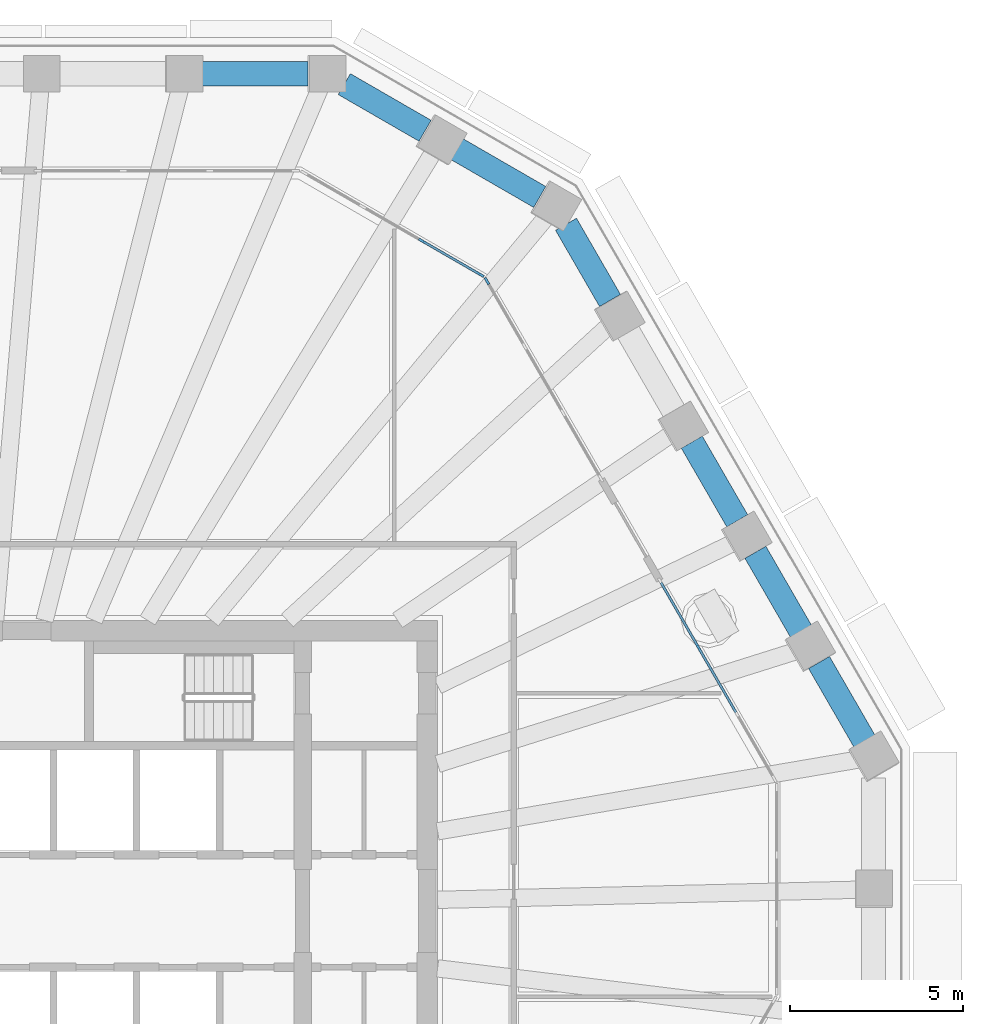
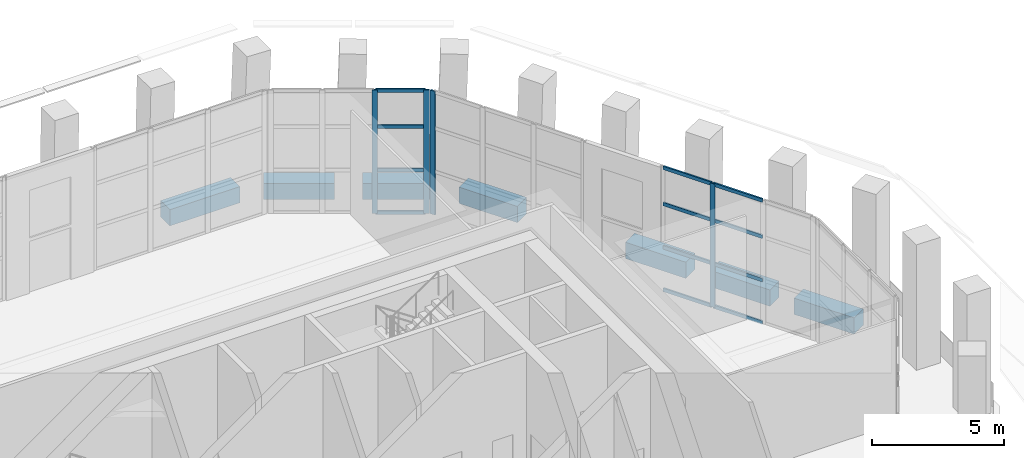
# One storey, part 8 of 19: 16 members, 7 beams, 3 elements without a shape of their own.
"""IFC4 building model written with IfcOpenShell, lengths in metres."""

from ifc_helpers import new_model, si_unit, direction, frame, origin, origin_2d, place, context, subcontext, project, spatial, rectangle, extrude, material, material_profile, profile_set, type_object, element, aggregate, save


model = new_model("IFC4")

# Units and contexts
model_context = context("Model", 3, precision=1e-05, world=origin(), true_north=direction((0.0, 1.0)))
body_context = subcontext(model_context, "Body", "Model", "MODEL_VIEW")
ifc_project = project(units=[si_unit("LENGTHUNIT", "METRE"), si_unit("AREAUNIT", "SQUARE_METRE"), si_unit("VOLUMEUNIT", "CUBIC_METRE"), si_unit("PLANEANGLEUNIT", "RADIAN"), si_unit("MASSUNIT", "GRAM", prefix="KILO")], contexts=[model_context])

# Site, building, storey
site_placement = place(None, origin())
site = spatial("IfcSite", under=ifc_project, at=site_placement, CompositionType="ELEMENT")
building_placement = place(site_placement, origin())
building = spatial("IfcBuilding", under=site, at=building_placement, Name="Frailejon Research Tower", CompositionType="ELEMENT")
storey_placement = place(building_placement, frame((0.0, 0.0, 231.39990234375)))
storey = spatial("IfcBuildingStorey", under=building, at=storey_placement, Name="L50", CompositionType="ELEMENT", Elevation=231.39990234375)

# Curtain wall, member
ifc_material_1 = material(Name="Aluminium curtain wall", Category="aluminium")
curtain_wall_type = type_object("IfcCurtainWallType", Name="Sky lobby curtain wall system", PredefinedType="NOTDEFINED", material=ifc_material_1)
curtain_wall_1_placement = place(storey_placement, origin())
curtain_wall_1 = element("IfcCurtainWall", 1, at=curtain_wall_1_placement, inside=storey, type_object=curtain_wall_type, Name="Curtain wall L50", PredefinedType="NOTDEFINED")
ifc_material_2 = material(Name="Aluminium extrusion", Category="aluminium")
ifc_material_profile_1 = material_profile(ifc_material_2, rectangle(XDim=0.070068359375, YDim=0.219970703125, at=origin_2d()), Name="Sky lobby curtain wall mullion 70x220")
ifc_profile_set_1 = profile_set([ifc_material_profile_1], Name="Aluminium extrusion")
member_type_1 = type_object("IfcMemberType", Name="Sky lobby curtain wall mullion 70x220", PredefinedType="MULLION", material=ifc_profile_set_1)
member_1_placement = place(storey_placement, frame((21.030029296875, 7.632080078125, 0.0), z_axis=(0.0, 0.0, 1.0), x_axis=(-0.866025366731, -0.500000064178, 0.0)))
member_1 = element("IfcMember", 2, at=member_1_placement, type_object=member_type_1, Name="CW4-100 mullion 3", PredefinedType="MULLION", context=body_context, shape_type="SweptSolid", body=[
    extrude(rectangle(XDim=0.070068359375, YDim=0.219970703125, at=origin_2d()), origin(), (0.0, 0.0, 1.0), 5.7001953125),
])

curtain_wall_2_placement = place(storey_placement, origin())
curtain_wall_2 = element("IfcCurtainWall", 3, at=curtain_wall_2_placement, inside=storey, type_object=curtain_wall_type, Name="Curtain wall L50", PredefinedType="NOTDEFINED")
member_2_placement = place(storey_placement, frame((14.9248046875, 18.20654296875, 0.0), z_axis=(0.0, 0.0, 1.0), x_axis=(-0.866025366731, -0.500000064178, 0.0)))
member_2 = element("IfcMember", 4, at=member_2_placement, type_object=member_type_1, Name="CW4-101 mullion 4", PredefinedType="MULLION", context=body_context, shape_type="SweptSolid", body=[
    extrude(rectangle(XDim=0.070068359375, YDim=0.219970703125, at=origin_2d()), origin(), (0.0, 0.0, 1.0), 5.7001953125),
])
aggregate(curtain_wall_2, [member_2])

# Curtain wall, members
curtain_wall_3_placement = place(storey_placement, origin())
curtain_wall_3 = element("IfcCurtainWall", 5, at=curtain_wall_3_placement, inside=storey, type_object=curtain_wall_type, Name="Curtain wall L50", PredefinedType="NOTDEFINED")
member_3_placement = place(storey_placement, frame((14.740234375, 18.39111328125, 0.0), z_axis=(0.0, 0.0, 1.0), x_axis=(-0.500010854885, -0.866019136623, 0.0)))
member_3 = element("IfcMember", 6, at=member_3_placement, type_object=member_type_1, Name="CW4-102 mullion 1", PredefinedType="MULLION", context=body_context, shape_type="SweptSolid", body=[
    extrude(rectangle(XDim=0.070068359375, YDim=0.219970703125, at=origin_2d()), origin(), (0.0, 0.0, 1.0), 5.7001953125),
])
member_4_placement = place(storey_placement, frame((13.05224609375, 19.36572265625, 0.0), z_axis=(0.0, 0.0, 1.0), x_axis=(-0.500010854885, -0.866019136623, 0.0)))
member_4 = element("IfcMember", 7, at=member_4_placement, type_object=member_type_1, Name="CW4-102 mullion 2", PredefinedType="MULLION", context=body_context, shape_type="SweptSolid", body=[
    extrude(rectangle(XDim=0.070068359375, YDim=0.219970703125, at=origin_2d()), origin(), (0.0, 0.0, 1.0), 5.7001953125),
])

# Member
ifc_material_3 = material(Name="Aluminium extrusion", Category="aluminium")
ifc_material_profile_2 = material_profile(ifc_material_3, rectangle(XDim=0.070068359375, YDim=0.159912109375, at=origin_2d()), Name="Sky lobby curtain wall transom 70x160")
ifc_profile_set_2 = profile_set([ifc_material_profile_2], Name="Aluminium extrusion")
member_type_2 = type_object("IfcMemberType", Name="Sky lobby curtain wall transom 70x160", PredefinedType="USERDEFINED", material=ifc_profile_set_2)
member_5_placement = place(storey_placement, frame((22.12109375, 5.7421875, 0.03515625), z_axis=(-0.500027542156, 0.866009501729, 0.0), x_axis=(-0.866009501729, -0.500027542156, 0.0)))
member_5 = element("IfcMember", 8, at=member_5_placement, type_object=member_type_2, Name="CW4-100 transom 2.1", ObjectType="TRANSOM", PredefinedType="USERDEFINED", context=body_context, shape_type="SweptSolid", body=[
    extrude(rectangle(XDim=0.070068359375, YDim=0.159912109375, at=origin_2d()), origin(), (0.0, 0.0, 1.0), 2.1474609375),
])

member_6_placement = place(storey_placement, frame((22.12109375, 5.7421875, 2.0), z_axis=(-0.500027542156, 0.866009501729, 0.0), x_axis=(-0.866009501729, -0.500027542156, 0.0)))
member_6 = element("IfcMember", 9, at=member_6_placement, type_object=member_type_2, Name="CW4-100 transom 2.2", ObjectType="TRANSOM", PredefinedType="USERDEFINED", context=body_context, shape_type="SweptSolid", body=[
    extrude(rectangle(XDim=0.070068359375, YDim=0.159912109375, at=origin_2d()), origin(), (0.0, 0.0, 1.0), 2.1474609375),
])

member_7_placement = place(storey_placement, frame((22.12109375, 5.7421875, 4.0), z_axis=(-0.500027542156, 0.866009501729, 0.0), x_axis=(-0.866009501729, -0.500027542156, 0.0)))
member_7 = element("IfcMember", 10, at=member_7_placement, type_object=member_type_2, Name="CW4-100 transom 2.3", ObjectType="TRANSOM", PredefinedType="USERDEFINED", context=body_context, shape_type="SweptSolid", body=[
    extrude(rectangle(XDim=0.070068359375, YDim=0.159912109375, at=origin_2d()), origin(), (0.0, 0.0, 1.0), 2.1474609375),
])

member_8_placement = place(storey_placement, frame((22.12109375, 5.7421875, 5.6650390625), z_axis=(-0.500027542156, 0.866009501729, 0.0), x_axis=(-0.866009501729, -0.500027542156, 0.0)))
member_8 = element("IfcMember", 11, at=member_8_placement, type_object=member_type_2, Name="CW4-100 transom 2.4", ObjectType="TRANSOM", PredefinedType="USERDEFINED", context=body_context, shape_type="SweptSolid", body=[
    extrude(rectangle(XDim=0.070068359375, YDim=0.159912109375, at=origin_2d()), origin(), (0.0, 0.0, 1.0), 2.1474609375),
])

member_9_placement = place(storey_placement, frame((21.012451171875, 7.662353515625, 0.03515625), z_axis=(-0.499992582699, 0.866029686123, 0.0), x_axis=(-0.866029686123, -0.499992582699, 0.0)))
member_9 = element("IfcMember", 12, at=member_9_placement, type_object=member_type_2, Name="CW4-100 transom 3.1", ObjectType="TRANSOM", PredefinedType="USERDEFINED", context=body_context, shape_type="SweptSolid", body=[
    extrude(rectangle(XDim=0.070068359375, YDim=0.159912109375, at=origin_2d()), origin(), (0.0, 0.0, 1.0), 2.1123046875),
])

member_10_placement = place(storey_placement, frame((21.012451171875, 7.662353515625, 2.0), z_axis=(-0.499992582699, 0.866029686123, 0.0), x_axis=(-0.866029686123, -0.499992582699, 0.0)))
member_10 = element("IfcMember", 13, at=member_10_placement, type_object=member_type_2, Name="CW4-100 transom 3.2", ObjectType="TRANSOM", PredefinedType="USERDEFINED", context=body_context, shape_type="SweptSolid", body=[
    extrude(rectangle(XDim=0.070068359375, YDim=0.159912109375, at=origin_2d()), origin(), (0.0, 0.0, 1.0), 2.1123046875),
])

member_11_placement = place(storey_placement, frame((21.012451171875, 7.662353515625, 4.0), z_axis=(-0.499992582699, 0.866029686123, 0.0), x_axis=(-0.866029686123, -0.499992582699, 0.0)))
member_11 = element("IfcMember", 14, at=member_11_placement, type_object=member_type_2, Name="CW4-100 transom 3.3", ObjectType="TRANSOM", PredefinedType="USERDEFINED", context=body_context, shape_type="SweptSolid", body=[
    extrude(rectangle(XDim=0.070068359375, YDim=0.159912109375, at=origin_2d()), origin(), (0.0, 0.0, 1.0), 2.1123046875),
])

member_12_placement = place(storey_placement, frame((21.012451171875, 7.662353515625, 5.6650390625), z_axis=(-0.499992582699, 0.866029686123, 0.0), x_axis=(-0.866029686123, -0.499992582699, 0.0)))
member_12 = element("IfcMember", 15, at=member_12_placement, type_object=member_type_2, Name="CW4-100 transom 3.4", ObjectType="TRANSOM", PredefinedType="USERDEFINED", context=body_context, shape_type="SweptSolid", body=[
    extrude(rectangle(XDim=0.070068359375, YDim=0.159912109375, at=origin_2d()), origin(), (0.0, 0.0, 1.0), 2.1123046875),
])

aggregate(curtain_wall_1, [member_1, member_5, member_6, member_7, member_8, member_9, member_10, member_11, member_12])

member_13_placement = place(storey_placement, frame((14.7099609375, 18.408447265625, 0.03515625), z_axis=(-0.866003851672, 0.500037327496, 0.0), x_axis=(-0.500037327496, -0.866003851672, 0.0)))
member_13 = element("IfcMember", 16, at=member_13_placement, type_object=member_type_2, Name="CW4-102 transom 1.1", ObjectType="TRANSOM", PredefinedType="USERDEFINED", context=body_context, shape_type="SweptSolid", body=[
    extrude(rectangle(XDim=0.070068359375, YDim=0.159912109375, at=origin_2d()), origin(), (0.0, 0.0, 1.0), 1.879150390625),
])

member_14_placement = place(storey_placement, frame((14.7099609375, 18.408447265625, 2.0), z_axis=(-0.866003851672, 0.500037327496, 0.0), x_axis=(-0.500037327496, -0.866003851672, 0.0)))
member_14 = element("IfcMember", 17, at=member_14_placement, type_object=member_type_2, Name="CW4-102 transom 1.2", ObjectType="TRANSOM", PredefinedType="USERDEFINED", context=body_context, shape_type="SweptSolid", body=[
    extrude(rectangle(XDim=0.070068359375, YDim=0.159912109375, at=origin_2d()), origin(), (0.0, 0.0, 1.0), 1.879150390625),
])

member_15_placement = place(storey_placement, frame((14.7099609375, 18.408447265625, 4.0), z_axis=(-0.866003851672, 0.500037327496, 0.0), x_axis=(-0.500037327496, -0.866003851672, 0.0)))
member_15 = element("IfcMember", 18, at=member_15_placement, type_object=member_type_2, Name="CW4-102 transom 1.3", ObjectType="TRANSOM", PredefinedType="USERDEFINED", context=body_context, shape_type="SweptSolid", body=[
    extrude(rectangle(XDim=0.070068359375, YDim=0.159912109375, at=origin_2d()), origin(), (0.0, 0.0, 1.0), 1.879150390625),
])

member_16_placement = place(storey_placement, frame((14.7099609375, 18.408447265625, 5.6650390625), z_axis=(-0.866003851672, 0.500037327496, 0.0), x_axis=(-0.500037327496, -0.866003851672, 0.0)))
member_16 = element("IfcMember", 19, at=member_16_placement, type_object=member_type_2, Name="CW4-102 transom 1.4", ObjectType="TRANSOM", PredefinedType="USERDEFINED", context=body_context, shape_type="SweptSolid", body=[
    extrude(rectangle(XDim=0.070068359375, YDim=0.159912109375, at=origin_2d()), origin(), (0.0, 0.0, 1.0), 1.879150390625),
])

aggregate(curtain_wall_3, [member_3, member_4, member_13, member_14, member_15, member_16])

# Beams
ifc_material_4 = material(Name="Concrete C60/75", Category="concrete")
ifc_material_profile_3 = material_profile(ifc_material_4, rectangle(XDim=0.699951171875, YDim=0.75, at=origin_2d()), Name="Spandrel 700x750")
ifc_profile_set_3 = profile_set([ifc_material_profile_3], Name="Concrete C60/75")
beam_type = type_object("IfcBeamType", Name="Spandrel 700x750", PredefinedType="BEAM", material=ifc_profile_set_3)
beam_1_placement = place(storey_placement, frame((25.834716796875, 4.909912109375, -0.724853515625), z_axis=(-0.499998761798, 0.866026118659, 0.0), x_axis=(-0.866026118659, -0.499998761798, 0.0)))
element("IfcBeam", 20, at=beam_1_placement, inside=storey, type_object=beam_type, Name="Spandrel 700x750", PredefinedType="BEAM", context=body_context, shape_type="SweptSolid", body=[
    extrude(rectangle(XDim=0.699951171875, YDim=0.75, at=origin_2d()), origin(), (0.0, 0.0, 1.0), 2.6259765625),
])
for number, where, z_axis, x_axis, name in (
    (21, (23.99658203125, 8.093505859375, -0.724853515625), (-0.499958506883, 0.866049358521, 0.0), (-0.866049358521, -0.499958506883, 0.0), "Spandrel 700x750"),
    (22, (22.15869140625, 11.277099609375, -0.724853515625), (-0.499958506883, 0.866049358521, 0.0), (-0.866049358521, -0.499958506883, 0.0), "Spandrel 700x750"),
):
    element("IfcBeam", number, at=place(storey_placement, frame(where, z_axis=z_axis, x_axis=x_axis)), inside=storey, type_object=beam_type, Name=name, PredefinedType="BEAM", context=body_context, shape_type="SweptSolid", body=[
        extrude(rectangle(XDim=0.699951171875, YDim=0.75, at=origin_2d()), origin(), (0.0, 0.0, 1.0), 2.626220703125),
    ])
beam_2_placement = place(storey_placement, frame((18.482421875, 17.644287109375, -0.724853515625), z_axis=(-0.49990515099, 0.866080157961, 0.0), x_axis=(-0.866080157961, -0.49990515099, 0.0)))
element("IfcBeam", 23, at=beam_2_placement, inside=storey, type_object=beam_type, Name="Spandrel 700x750", PredefinedType="BEAM", context=body_context, shape_type="SweptSolid", body=[
    extrude(rectangle(XDim=0.699951171875, YDim=0.75, at=origin_2d()), origin(), (0.0, 0.0, 1.0), 2.544921875),
])
beam_3_placement = place(storey_placement, frame((16.452392578125, 20.6357421875, -0.724853515625), z_axis=(-0.866021602438, 0.500006584067, 0.0), x_axis=(-0.500006584067, -0.866021602438, 0.0)))
element("IfcBeam", 24, at=beam_3_placement, inside=storey, type_object=beam_type, Name="Spandrel 700x750", PredefinedType="BEAM", context=body_context, shape_type="SweptSolid", body=[
    extrude(rectangle(XDim=0.699951171875, YDim=0.75, at=origin_2d()), origin(), (0.0, 0.0, 1.0), 2.77685546875),
])
beam_4_placement = place(storey_placement, frame((13.13818359375, 22.549072265625, -0.724853515625), z_axis=(-0.86598798235, 0.500064810224, 0.0), x_axis=(-0.500064810224, -0.86598798235, 0.0)))
element("IfcBeam", 25, at=beam_4_placement, inside=storey, type_object=beam_type, Name="Spandrel 700x750", PredefinedType="BEAM", context=body_context, shape_type="SweptSolid", body=[
    extrude(rectangle(XDim=0.699951171875, YDim=0.75, at=origin_2d()), origin(), (0.0, 0.0, 1.0), 2.695556640625),
])
beam_5_placement = place(storey_placement, frame((9.75390625, 24.199951171875, -0.724853515625), z_axis=(-1.0, 0.0, 0.0), x_axis=(0.0, -1.0, 0.0)))
element("IfcBeam", 26, at=beam_5_placement, inside=storey, type_object=beam_type, Name="Spandrel 700x750", PredefinedType="BEAM", context=body_context, shape_type="SweptSolid", body=[
    extrude(rectangle(XDim=0.699951171875, YDim=0.75, at=origin_2d()), origin(), (0.0, 0.0, 1.0), 3.0615234375),
])

save(model, "model.ifc")
